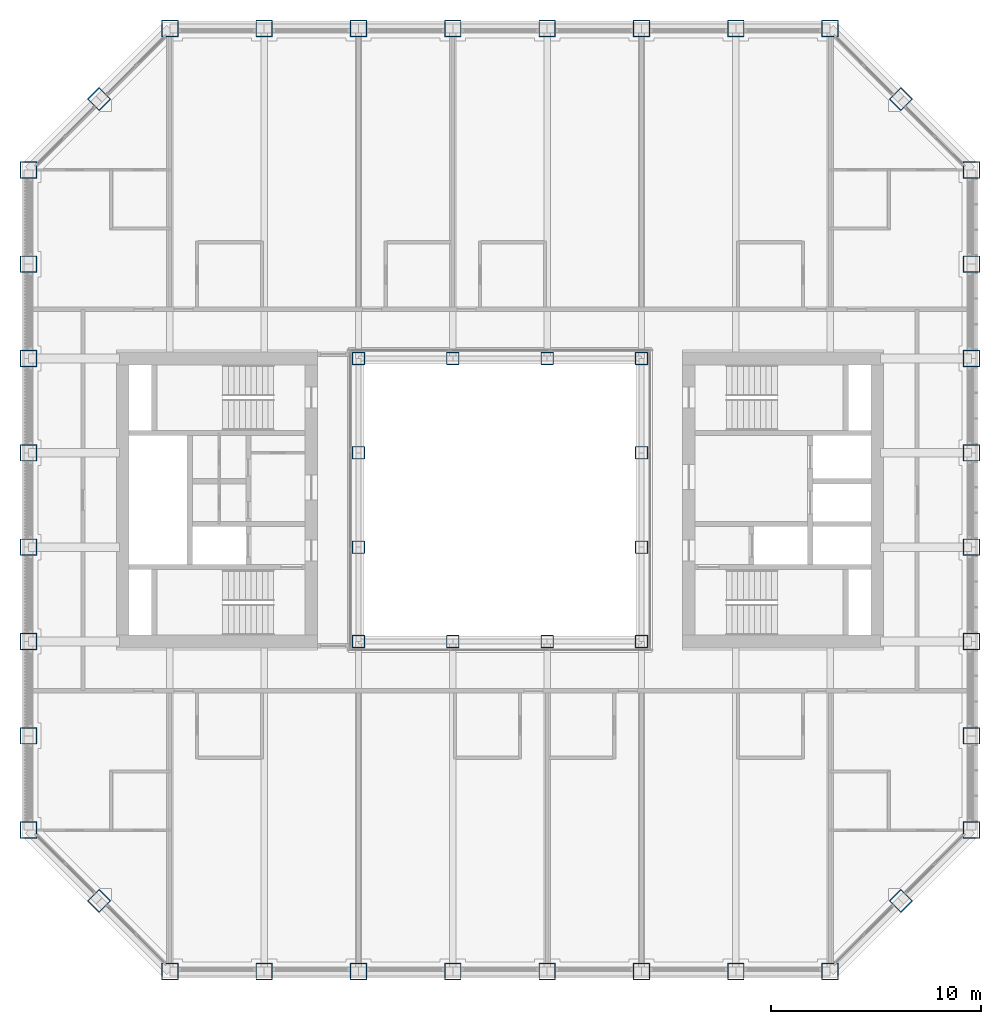
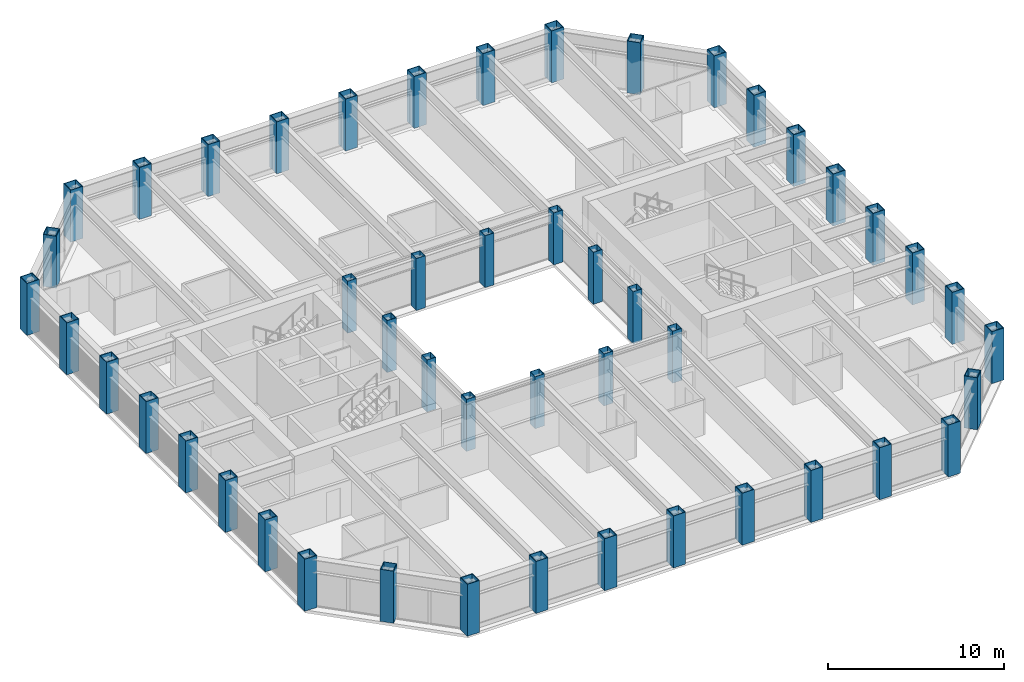
# One storey, part 1 of 17: 48 columns.
"""IFC4 building model written with IfcOpenShell, lengths in metres."""

from ifc_helpers import new_model, si_unit, direction, frame, origin, origin_2d, place, context, subcontext, project, spatial, hollow_rectangle, extrude, material, material_profile, profile_set, type_object, element, save


model = new_model("IFC4")

# Units and contexts
model_context = context("Model", 3, precision=1e-05, world=origin(), true_north=direction((0.0, 1.0)))
body_context = subcontext(model_context, "Body", "Model", "MODEL_VIEW")
ifc_project = project(units=[si_unit("LENGTHUNIT", "METRE"), si_unit("AREAUNIT", "SQUARE_METRE"), si_unit("VOLUMEUNIT", "CUBIC_METRE"), si_unit("PLANEANGLEUNIT", "RADIAN"), si_unit("MASSUNIT", "GRAM", prefix="KILO")], contexts=[model_context])

# Site, building, storey
site_placement = place(None, origin())
site = spatial("IfcSite", under=ifc_project, at=site_placement, CompositionType="ELEMENT")
building_placement = place(site_placement, origin())
building = spatial("IfcBuilding", under=site, at=building_placement, Name="Msasa Ring Tower", CompositionType="ELEMENT")
storey_placement = place(building_placement, frame((0.0, 0.0, 165.199951171875)))
storey = spatial("IfcBuildingStorey", under=building, at=storey_placement, Name="L43", CompositionType="ELEMENT", Elevation=165.199951171875)

# Columns
ifc_material_1 = material(Name="Steel S355", Category="steel")
ifc_material_profile_1 = material_profile(ifc_material_1, hollow_rectangle(XDim=0.60009765625, YDim=0.60009765625, WallThickness=0.030029296875, at=origin_2d()), Name="BOX 600x600x30")
ifc_profile_set_1 = profile_set([ifc_material_profile_1], Name="Steel S355")
column_type_1 = type_object("IfcColumnType", Name="IC5 BOX 600x600x30", PredefinedType="COLUMN", material=ifc_profile_set_1)
for number, where, z_axis, x_axis, name in (
    (1, (-6.75, -6.75, 0.0), (0.0, 0.0, 1.0), (1.0, 0.0, 0.0), "Inner ring column IR-6.75-6.75 L43"),
    (2, (-6.75, -2.25, 0.0), (0.0, 0.0, 1.0), (1.0, 0.0, 0.0), "Inner ring column IR-6.75-2.25 L43"),
    (3, (-6.75, 2.25, 0.0), (0.0, 0.0, 1.0), (1.0, 0.0, 0.0), "Inner ring column IR-6.75+2.25 L43"),
    (4, (-6.75, 6.75, 0.0), (0.0, 0.0, 1.0), (1.0, 0.0, 0.0), "Inner ring column IR-6.75+6.75 L43"),
    (5, (-2.25, -6.75, 0.0), (0.0, 0.0, 1.0), (1.0, 0.0, 0.0), "Inner ring column IR-2.25-6.75 L43"),
    (6, (-2.25, 6.75, 0.0), (0.0, 0.0, 1.0), (1.0, 0.0, 0.0), "Inner ring column IR-2.25+6.75 L43"),
    (7, (2.25, -6.75, 0.0), (0.0, 0.0, 1.0), (1.0, 0.0, 0.0), "Inner ring column IR+2.25-6.75 L43"),
    (8, (2.25, 6.75, 0.0), (0.0, 0.0, 1.0), (1.0, 0.0, 0.0), "Inner ring column IR+2.25+6.75 L43"),
    (9, (6.75, -6.75, 0.0), (0.0, 0.0, 1.0), (1.0, 0.0, 0.0), "Inner ring column IR+6.75-6.75 L43"),
    (10, (6.75, -2.25, 0.0), (0.0, 0.0, 1.0), (1.0, 0.0, 0.0), "Inner ring column IR+6.75-2.25 L43"),
    (11, (6.75, 2.25, 0.0), (0.0, 0.0, 1.0), (1.0, 0.0, 0.0), "Inner ring column IR+6.75+2.25 L43"),
    (12, (6.75, 6.75, 0.0), (0.0, 0.0, 1.0), (1.0, 0.0, 0.0), "Inner ring column IR+6.75+6.75 L43"),
):
    element("IfcColumn", number, at=place(storey_placement, frame(where, z_axis=z_axis, x_axis=x_axis)), inside=storey, type_object=column_type_1, Name=name, PredefinedType="COLUMN", context=body_context, shape_type="SweptSolid", body=[
        extrude(hollow_rectangle(XDim=0.60009765625, YDim=0.60009765625, WallThickness=0.030029296875, at=origin_2d()), origin(), (0.0, 0.0, 1.0), 3.60009765625),
    ])
ifc_material_2 = material(Name="Steel S355", Category="steel")
ifc_material_profile_2 = material_profile(ifc_material_2, hollow_rectangle(XDim=0.800048828125, YDim=0.800048828125, WallThickness=0.044921875, at=origin_2d()), Name="BOX 800x800x45")
ifc_profile_set_2 = profile_set([ifc_material_profile_2], Name="Steel S355")
column_type_2 = type_object("IfcColumnType", Name="TC5 BOX 800x800x45", PredefinedType="COLUMN", material=ifc_profile_set_2)
for number, where, z_axis, x_axis, name in (
    (13, (-15.75, -22.5, 0.0), (0.0, 0.0, 1.0), (0.0, 1.0, 0.0), "Tube column S-15.75 L43"),
    (14, (-15.75, 22.5, 0.0), (0.0, 0.0, 1.0), (0.0, 1.0, 0.0), "Tube column N-15.75 L43"),
    (15, (22.5, -15.75, 0.0), (0.0, 0.0, 1.0), (1.0, 0.0, 0.0), "Tube column E-15.75 L43"),
    (16, (-22.5, -15.75, 0.0), (0.0, 0.0, 1.0), (1.0, 0.0, 0.0), "Tube column W-15.75 L43"),
    (17, (-11.25, -22.5, 0.0), (0.0, 0.0, 1.0), (0.0, 1.0, 0.0), "Tube column S-11.25 L43"),
    (18, (-11.25, 22.5, 0.0), (0.0, 0.0, 1.0), (0.0, 1.0, 0.0), "Tube column N-11.25 L43"),
    (19, (22.5, -11.25, 0.0), (0.0, 0.0, 1.0), (1.0, 0.0, 0.0), "Tube column E-11.25 L43"),
    (20, (-22.5, -11.25, 0.0), (0.0, 0.0, 1.0), (1.0, 0.0, 0.0), "Tube column W-11.25 L43"),
    (21, (-6.75, -22.5, 0.0), (0.0, 0.0, 1.0), (0.0, 1.0, 0.0), "Tube column S-6.75 L43"),
    (22, (-6.75, 22.5, 0.0), (0.0, 0.0, 1.0), (0.0, 1.0, 0.0), "Tube column N-6.75 L43"),
    (23, (22.5, -6.75, 0.0), (0.0, 0.0, 1.0), (1.0, 0.0, 0.0), "Tube column E-6.75 L43"),
    (24, (-22.5, -6.75, 0.0), (0.0, 0.0, 1.0), (1.0, 0.0, 0.0), "Tube column W-6.75 L43"),
    (25, (-2.25, -22.5, 0.0), (0.0, 0.0, 1.0), (0.0, 1.0, 0.0), "Tube column S-2.25 L43"),
    (26, (-2.25, 22.5, 0.0), (0.0, 0.0, 1.0), (0.0, 1.0, 0.0), "Tube column N-2.25 L43"),
    (27, (22.5, -2.25, 0.0), (0.0, 0.0, 1.0), (1.0, 0.0, 0.0), "Tube column E-2.25 L43"),
    (28, (-22.5, -2.25, 0.0), (0.0, 0.0, 1.0), (1.0, 0.0, 0.0), "Tube column W-2.25 L43"),
    (29, (2.25, -22.5, 0.0), (0.0, 0.0, 1.0), (0.0, 1.0, 0.0), "Tube column S+2.25 L43"),
    (30, (2.25, 22.5, 0.0), (0.0, 0.0, 1.0), (0.0, 1.0, 0.0), "Tube column N+2.25 L43"),
    (31, (22.5, 2.25, 0.0), (0.0, 0.0, 1.0), (1.0, 0.0, 0.0), "Tube column E+2.25 L43"),
    (32, (-22.5, 2.25, 0.0), (0.0, 0.0, 1.0), (1.0, 0.0, 0.0), "Tube column W+2.25 L43"),
    (33, (6.75, -22.5, 0.0), (0.0, 0.0, 1.0), (0.0, 1.0, 0.0), "Tube column S+6.75 L43"),
    (34, (6.75, 22.5, 0.0), (0.0, 0.0, 1.0), (0.0, 1.0, 0.0), "Tube column N+6.75 L43"),
    (35, (22.5, 6.75, 0.0), (0.0, 0.0, 1.0), (1.0, 0.0, 0.0), "Tube column E+6.75 L43"),
    (36, (-22.5, 6.75, 0.0), (0.0, 0.0, 1.0), (1.0, 0.0, 0.0), "Tube column W+6.75 L43"),
    (37, (11.25, -22.5, 0.0), (0.0, 0.0, 1.0), (0.0, 1.0, 0.0), "Tube column S+11.25 L43"),
    (38, (11.25, 22.5, 0.0), (0.0, 0.0, 1.0), (0.0, 1.0, 0.0), "Tube column N+11.25 L43"),
    (39, (22.5, 11.25, 0.0), (0.0, 0.0, 1.0), (1.0, 0.0, 0.0), "Tube column E+11.25 L43"),
    (40, (-22.5, 11.25, 0.0), (0.0, 0.0, 1.0), (1.0, 0.0, 0.0), "Tube column W+11.25 L43"),
    (41, (15.75, -22.5, 0.0), (0.0, 0.0, 1.0), (0.0, 1.0, 0.0), "Tube column S+15.75 L43"),
    (42, (15.75, 22.5, 0.0), (0.0, 0.0, 1.0), (0.0, 1.0, 0.0), "Tube column N+15.75 L43"),
    (43, (22.5, 15.75, 0.0), (0.0, 0.0, 1.0), (1.0, 0.0, 0.0), "Tube column E+15.75 L43"),
    (44, (-22.5, 15.75, 0.0), (0.0, 0.0, 1.0), (1.0, 0.0, 0.0), "Tube column W+15.75 L43"),
    (45, (19.125, -19.125, 0.0), (0.0, 0.0, 1.0), (0.707106781187, -0.707106781187, 0.0), "Tube column SE L43"),
    (46, (19.125, 19.125, 0.0), (0.0, 0.0, 1.0), (0.707106781187, 0.707106781187, 0.0), "Tube column NE L43"),
    (47, (-19.125, 19.125, 0.0), (0.0, 0.0, 1.0), (0.707106781187, -0.707106781187, 0.0), "Tube column NW L43"),
    (48, (-19.125, -19.125, 0.0), (0.0, 0.0, 1.0), (0.707106781187, 0.707106781187, 0.0), "Tube column SW L43"),
):
    element("IfcColumn", number, at=place(storey_placement, frame(where, z_axis=z_axis, x_axis=x_axis)), inside=storey, type_object=column_type_2, Name=name, PredefinedType="COLUMN", context=body_context, shape_type="SweptSolid", body=[
        extrude(hollow_rectangle(XDim=0.800048828125, YDim=0.800048828125, WallThickness=0.044921875, at=origin_2d()), origin(), (0.0, 0.0, 1.0), 3.60009765625),
    ])

save(model, "model.ifc")
